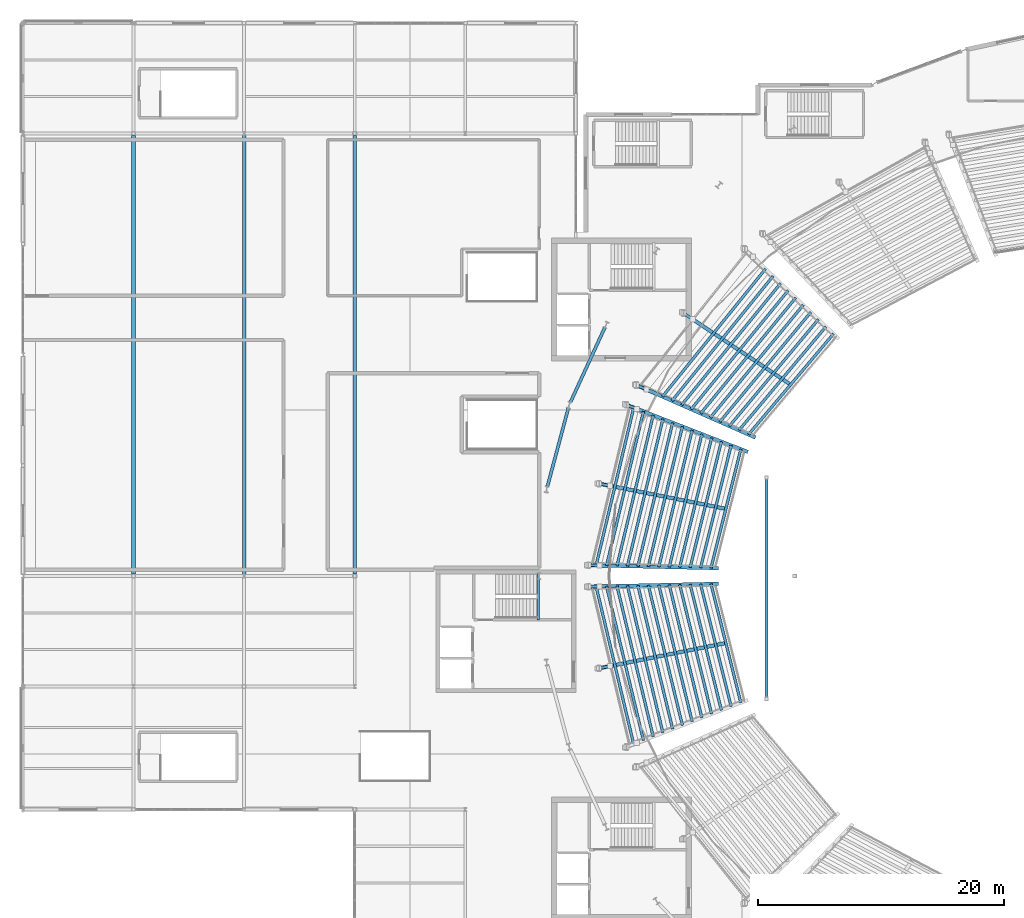
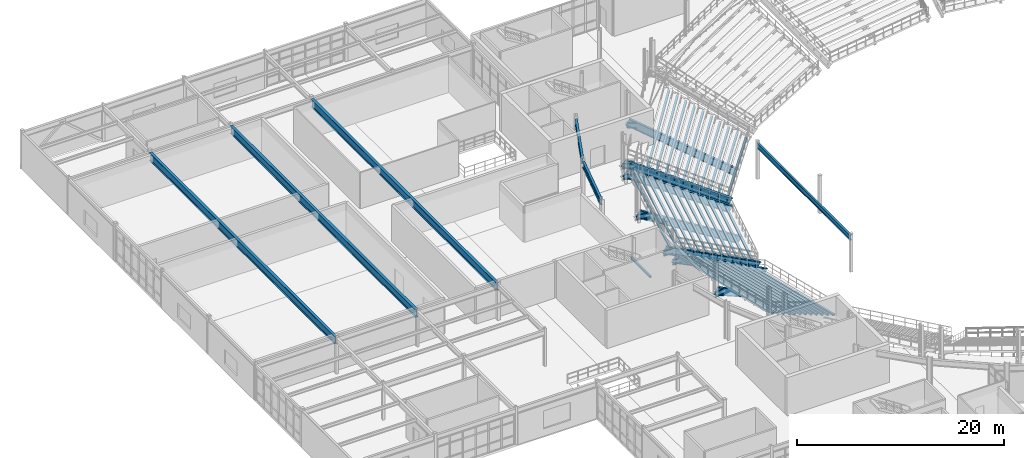
# One storey, part 30 of 81: 55 beams.
"""IFC4 building model written with IfcOpenShell, lengths in metres."""

from ifc_helpers import new_model, si_unit, direction, frame, origin, origin_2d, place, context, subcontext, project, spatial, rectangle, hollow_rectangle, i_section, extrude, material, material_profile, profile_set, type_object, element, save


model = new_model("IFC4")

# Units and contexts
model_context = context("Model", 3, precision=1e-05, world=origin(), true_north=direction((0.0, 1.0)))
body_context = subcontext(model_context, "Body", "Model", "MODEL_VIEW")
ifc_project = project(units=[si_unit("LENGTHUNIT", "METRE"), si_unit("AREAUNIT", "SQUARE_METRE"), si_unit("VOLUMEUNIT", "CUBIC_METRE"), si_unit("PLANEANGLEUNIT", "RADIAN"), si_unit("MASSUNIT", "GRAM", prefix="KILO")], contexts=[model_context])

# Site, building, storey
site_placement = place(None, origin())
site = spatial("IfcSite", under=ifc_project, at=site_placement, CompositionType="ELEMENT")
building_placement = place(site_placement, origin())
building = spatial("IfcBuilding", under=site, at=building_placement, Name="Glasvene Arena", CompositionType="ELEMENT")
storey_placement = place(building_placement, frame((0.0, 0.0, 15.0)))
storey = spatial("IfcBuildingStorey", under=building, at=storey_placement, Name="L03", CompositionType="ELEMENT", Elevation=15.0)

# Beams
ifc_material_1 = material(Name="Steel S355J2", Category="steel")
ifc_material_profile_1 = material_profile(ifc_material_1, i_section(OverallWidth=0.228271484375, OverallDepth=0.607666015625, WebThickness=0.010986328125, FlangeThickness=0.017333984375, FilletRadius=0.0126953125, at=origin_2d()), Name="UKB 610x229x113")
ifc_profile_set_1 = profile_set([ifc_material_profile_1], Name="Steel S355J2")
beam_type_1 = type_object("IfcBeamType", Name="BM-GIRD-610", PredefinedType="BEAM", material=ifc_profile_set_1)
beam_1_placement = place(storey_placement, frame((60.5, 63.0, 3.945068359375), z_axis=(0.0, 1.0, 0.0), x_axis=(-1.0, 0.0, 0.0)))
element("IfcBeam", 1, at=beam_1_placement, inside=storey, type_object=beam_type_1, Name="Sector 3-3 soffit girder L03", PredefinedType="BEAM", context=body_context, shape_type="SweptSolid", body=[
    extrude(i_section(OverallWidth=0.228271484375, OverallDepth=0.607666015625, WebThickness=0.010986328125, FlangeThickness=0.017333984375, FilletRadius=0.0126953125, at=origin_2d()), origin(), (0.0, 0.0, 1.0), 18.0),
])
beam_2_placement = place(storey_placement, frame((54.500732421875, 93.889404296875, 0.544921875), z_axis=(-0.831386976724, 0.555693885997, 0.0), x_axis=(-0.555693885997, -0.831386976724, 0.0)))
element("IfcBeam", 2, at=beam_2_placement, inside=storey, type_object=beam_type_1, Name="Upper raker rear seat haunch girder RKS-07-2", PredefinedType="BEAM", context=body_context, shape_type="SweptSolid", body=[
    extrude(i_section(OverallWidth=0.228271484375, OverallDepth=0.607666015625, WebThickness=0.010986328125, FlangeThickness=0.017333984375, FilletRadius=0.0126953125, at=origin_2d()), origin(), (0.0, 0.0, 1.0), 1.020263671875),
])
for number, where, z_axis, x_axis, name in (
    (3, (50.7353515625, 88.17333984375, 0.60498046875), (-0.914972384144, 0.403516463423, 0.0), (-0.403516463423, -0.914972384144, 0.0), "Upper raker rear seat haunch girder RKS-07-3"),
    (4, (49.9521484375, 86.596923828125, 0.60498046875), (-0.932305314337, 0.361672228488, 0.0), (-0.361672228488, -0.932305314337, 0.0), "Upper raker rear seat haunch girder RKS-08-1"),
    (5, (47.7666015625, 80.33544921875, 0.544921875), (-0.980791823058, 0.195057426987, 0.0), (-0.195057426987, -0.980791823058, 0.0), "Upper raker rear seat haunch girder RKS-08-2"),
    (6, (46.91162109375, 73.85302734375, 0.60498046875), (-0.999741464718, 0.02273771586, 0.0), (-0.02273771586, -0.999741464718, 0.0), "Upper raker rear seat haunch girder RKS-08-3"),
    (7, (46.91162109375, 72.14697265625, 0.60498046875), (-0.999741464718, -0.02273771586, 0.0), (0.02273771586, -0.999741464718, 0.0), "Upper raker rear seat haunch girder RKS-09-1"),
    (8, (47.7666015625, 65.66455078125, 0.544921875), (-0.980791823058, -0.195057426987, 0.0), (0.195057426987, -0.980791823058, 0.0), "Upper raker rear seat haunch girder RKS-09-2"),
):
    element("IfcBeam", number, at=place(storey_placement, frame(where, z_axis=z_axis, x_axis=x_axis)), inside=storey, type_object=beam_type_1, Name=name, PredefinedType="BEAM", context=body_context, shape_type="SweptSolid", body=[
        extrude(i_section(OverallWidth=0.228271484375, OverallDepth=0.607666015625, WebThickness=0.010986328125, FlangeThickness=0.017333984375, FilletRadius=0.0126953125, at=origin_2d()), origin(), (0.0, 0.0, 1.0), 1.02001953125),
    ])
ifc_material_profile_2 = material_profile(ifc_material_1, i_section(OverallWidth=0.253662109375, OverallDepth=0.68359375, WebThickness=0.012451171875, FlangeThickness=0.01904296875, FilletRadius=0.01513671875, at=origin_2d()), Name="UKB 686x254x140")
ifc_profile_set_2 = profile_set([ifc_material_profile_2], Name="Steel S355J2")
beam_type_2 = type_object("IfcBeamType", Name="BM-GIRD-686", PredefinedType="BEAM", material=ifc_profile_set_2)
beam_3_placement = place(storey_placement, frame((47.349365234375, 93.211669921875, 3.908203125), z_axis=(-0.418069169042, -0.908415196866, 0.0), x_axis=(0.908415196866, -0.418069169042, 0.0)))
element("IfcBeam", 9, at=beam_3_placement, inside=storey, type_object=beam_type_2, Name="Bowl ring chord beam L03-18", PredefinedType="BEAM", context=body_context, shape_type="SweptSolid", body=[
    extrude(i_section(OverallWidth=0.253662109375, OverallDepth=0.68359375, WebThickness=0.012451171875, FlangeThickness=0.01904296875, FilletRadius=0.01513671875, at=origin_2d()), origin(), (0.0, 0.0, 1.0), 6.70166015625),
])
beam_4_placement = place(storey_placement, frame((44.38525390625, 86.673828125, 3.908203125), z_axis=(-0.257729153992, -0.966217202901, 0.0), x_axis=(0.966217202901, -0.257729153992, 0.0)))
element("IfcBeam", 10, at=beam_4_placement, inside=storey, type_object=beam_type_2, Name="Bowl ring chord beam L03-19", PredefinedType="BEAM", context=body_context, shape_type="SweptSolid", body=[
    extrude(i_section(OverallWidth=0.253662109375, OverallDepth=0.68359375, WebThickness=0.012451171875, FlangeThickness=0.01904296875, FilletRadius=0.01513671875, at=origin_2d()), origin(), (0.0, 0.0, 1.0), 6.626220703125),
])
ifc_material_profile_3 = material_profile(ifc_material_1, i_section(OverallWidth=0.30419921875, OverallDepth=0.910400390625, WebThickness=0.015869140625, FlangeThickness=0.02392578125, FilletRadius=0.01904296875, at=origin_2d()), Name="UKB 914x305x224")
ifc_profile_set_3 = profile_set([ifc_material_profile_3], Name="Steel S355J2")
beam_type_3 = type_object("IfcBeamType", Name="BM-GIRD-914", PredefinedType="BEAM", material=ifc_profile_set_3)
beam_5_placement = place(storey_placement, frame((9.0, 73.14501953125, 3.794921875), z_axis=(0.0, 1.0, 0.0), x_axis=(-1.0, 0.0, 0.0)))
element("IfcBeam", 11, at=beam_5_placement, inside=storey, type_object=beam_type_3, Name="Primary Y girder L03-0971", PredefinedType="BEAM", context=body_context, shape_type="SweptSolid", body=[
    extrude(i_section(OverallWidth=0.30419921875, OverallDepth=0.910400390625, WebThickness=0.015869140625, FlangeThickness=0.02392578125, FilletRadius=0.01904296875, at=origin_2d()), origin(), (0.0, 0.0, 1.0), 35.7099609375),
])
beam_6_placement = place(storey_placement, frame((18.0, 73.125244140625, 3.794921875), z_axis=(0.0, 1.0, 0.0), x_axis=(-1.0, 0.0, 0.0)))
element("IfcBeam", 12, at=beam_6_placement, inside=storey, type_object=beam_type_3, Name="Primary Y girder L03-0975", PredefinedType="BEAM", context=body_context, shape_type="SweptSolid", body=[
    extrude(i_section(OverallWidth=0.30419921875, OverallDepth=0.910400390625, WebThickness=0.015869140625, FlangeThickness=0.02392578125, FilletRadius=0.01904296875, at=origin_2d()), origin(), (0.0, 0.0, 1.0), 35.74951171875),
])
beam_7_placement = place(storey_placement, frame((27.0, 73.14501953125, 3.794921875), z_axis=(0.0, 1.0, 0.0), x_axis=(-1.0, 0.0, 0.0)))
element("IfcBeam", 13, at=beam_7_placement, inside=storey, type_object=beam_type_3, Name="Primary Y girder L03-0980", PredefinedType="BEAM", context=body_context, shape_type="SweptSolid", body=[
    extrude(i_section(OverallWidth=0.30419921875, OverallDepth=0.910400390625, WebThickness=0.015869140625, FlangeThickness=0.02392578125, FilletRadius=0.01904296875, at=origin_2d()), origin(), (0.0, 0.0, 1.0), 35.7099609375),
])
ifc_material_profile_4 = material_profile(ifc_material_1, hollow_rectangle(XDim=0.199951171875, YDim=0.199951171875, WallThickness=0.010009765625, at=origin_2d()), Name="SHS 200x200x10.0")
ifc_profile_set_4 = profile_set([ifc_material_profile_4], Name="Steel S355J2")
beam_type_4 = type_object("IfcBeamType", Name="BM-LINTEL-200", PredefinedType="LINTEL", material=ifc_profile_set_4)
beam_8_placement = place(storey_placement, frame((41.929931640625, 69.429931640625, 1.929931640625), z_axis=(0.0, 1.0, 0.0), x_axis=(-1.0, 0.0, 0.0)))
element("IfcBeam", 14, at=beam_8_placement, inside=storey, type_object=beam_type_4, Name="Stair half-landing support beam ST-07-L03", PredefinedType="LINTEL", context=body_context, shape_type="SweptSolid", body=[
    extrude(hollow_rectangle(XDim=0.199951171875, YDim=0.199951171875, WallThickness=0.010009765625, at=origin_2d()), origin(), (0.0, 0.0, 1.0), 3.7900390625),
])
ifc_material_profile_5 = material_profile(ifc_material_1, i_section(OverallWidth=0.29248046875, OverallDepth=0.8408203125, WebThickness=0.0146484375, FlangeThickness=0.021728515625, FilletRadius=0.017822265625, at=origin_2d()), Name="UKB 838x292x194")
ifc_profile_set_5 = profile_set([ifc_material_profile_5], Name="Steel S355J2")
beam_type_5 = type_object("IfcBeamType", Name="Upper bowl raker", PredefinedType="USERDEFINED", material=ifc_profile_set_5)
beam_9_placement = place(storey_placement, frame((62.399658203125, 88.611572265625, -4.47998046875), z_axis=(-0.737057012889, 0.492481189955, 0.462827437919), x_axis=(-0.555566675899, -0.831471989084, 0.0)))
element("IfcBeam", 15, at=beam_9_placement, inside=storey, type_object=beam_type_5, Name="Upper bowl cantilevered raker beam RKU-07-2", ObjectType="RAKER BEAM", PredefinedType="USERDEFINED", context=body_context, shape_type="SweptSolid", body=[
    extrude(i_section(OverallWidth=0.29248046875, OverallDepth=0.8408203125, WebThickness=0.0146484375, FlangeThickness=0.021728515625, FilletRadius=0.017822265625, at=origin_2d()), origin(), (0.0, 0.0, 1.0), 11.732177734375),
])
beam_10_placement = place(storey_placement, frame((59.427490234375, 84.339599609375, -4.320068359375), z_axis=(-0.814248067092, 0.359137379961, 0.456092564674), x_axis=(-0.403555824655, -0.914955024243, 0.0)))
element("IfcBeam", 16, at=beam_10_placement, inside=storey, type_object=beam_type_5, Name="Upper bowl cantilevered raker beam RKU-07-3", ObjectType="RAKER BEAM", PredefinedType="USERDEFINED", context=body_context, shape_type="SweptSolid", body=[
    extrude(i_section(OverallWidth=0.29248046875, OverallDepth=0.8408203125, WebThickness=0.0146484375, FlangeThickness=0.021728515625, FilletRadius=0.017822265625, at=origin_2d()), origin(), (0.0, 0.0, 1.0), 11.686279296875),
])
beam_11_placement = place(storey_placement, frame((58.809326171875, 83.16162109375, -4.320068359375), z_axis=(-0.829704586846, 0.321824936055, 0.456091009669), x_axis=(-0.361628219192, -0.932322385811, 0.0)))
element("IfcBeam", 17, at=beam_11_placement, inside=storey, type_object=beam_type_5, Name="Upper bowl cantilevered raker beam RKU-08-1", ObjectType="RAKER BEAM", PredefinedType="USERDEFINED", context=body_context, shape_type="SweptSolid", body=[
    extrude(i_section(OverallWidth=0.29248046875, OverallDepth=0.8408203125, WebThickness=0.0146484375, FlangeThickness=0.021728515625, FilletRadius=0.017822265625, at=origin_2d()), origin(), (0.0, 0.0, 1.0), 11.6865234375),
])
beam_12_placement = place(storey_placement, frame((57.083984375, 78.48193359375, -4.47998046875), z_axis=(-0.86941665754, 0.172946908588, 0.462821825762), x_axis=(-0.19510028701, -0.98078329819, 0.0)))
element("IfcBeam", 18, at=beam_12_placement, inside=storey, type_object=beam_type_5, Name="Upper bowl cantilevered raker beam RKU-08-2", ObjectType="RAKER BEAM", PredefinedType="USERDEFINED", context=body_context, shape_type="SweptSolid", body=[
    extrude(i_section(OverallWidth=0.29248046875, OverallDepth=0.8408203125, WebThickness=0.0146484375, FlangeThickness=0.021728515625, FilletRadius=0.017822265625, at=origin_2d()), origin(), (0.0, 0.0, 1.0), 11.732177734375),
])
for number, where, z_axis, x_axis, name in (
    (19, (56.4091796875, 73.637451171875, -4.320068359375), (-0.889703726308, 0.020201547463, 0.456091193593), (-0.022700075691, -0.999742320082, 0.0), "Upper bowl cantilevered raker beam RKU-08-3"),
    (20, (56.4091796875, 72.362548828125, -4.320068359375), (-0.889703726308, -0.020201547463, 0.456091193593), (0.022700075691, -0.999742320082, 0.0), "Upper bowl cantilevered raker beam RKU-09-1"),
):
    element("IfcBeam", number, at=place(storey_placement, frame(where, z_axis=z_axis, x_axis=x_axis)), inside=storey, type_object=beam_type_5, Name=name, ObjectType="RAKER BEAM", PredefinedType="USERDEFINED", context=body_context, shape_type="SweptSolid", body=[
        extrude(i_section(OverallWidth=0.29248046875, OverallDepth=0.8408203125, WebThickness=0.0146484375, FlangeThickness=0.021728515625, FilletRadius=0.017822265625, at=origin_2d()), origin(), (0.0, 0.0, 1.0), 11.6865234375),
    ])
beam_13_placement = place(storey_placement, frame((57.083984375, 67.51806640625, -4.47998046875), z_axis=(-0.86941665754, -0.172946908588, 0.462821825762), x_axis=(0.19510028701, -0.98078329819, 0.0)))
element("IfcBeam", 21, at=beam_13_placement, inside=storey, type_object=beam_type_5, Name="Upper bowl cantilevered raker beam RKU-09-2", ObjectType="RAKER BEAM", PredefinedType="USERDEFINED", context=body_context, shape_type="SweptSolid", body=[
    extrude(i_section(OverallWidth=0.29248046875, OverallDepth=0.8408203125, WebThickness=0.0146484375, FlangeThickness=0.021728515625, FilletRadius=0.017822265625, at=origin_2d()), origin(), (0.0, 0.0, 1.0), 11.732177734375),
])
ifc_material_2 = material(Name="Precast concrete C50/60", Category="concrete")
ifc_material_profile_6 = material_profile(ifc_material_2, rectangle(XDim=0.219970703125, YDim=0.219970703125, at=origin_2d()), Name="RC 220x220")
ifc_profile_set_6 = profile_set([ifc_material_profile_6], Name="Precast concrete C50/60")
beam_type_6 = type_object("IfcBeamType", Name="BM-TIER-BEARER", PredefinedType="BEAM", material=ifc_profile_set_6)
beam_14_placement = place(storey_placement, frame((65.958740234375, 92.7041015625, -4.215087890625), z_axis=(-0.644922058275, -0.76424834887, 0.0), x_axis=(0.76424834887, -0.644922058275, 0.0)))
element("IfcBeam", 22, at=beam_14_placement, inside=storey, type_object=beam_type_6, Name="Upper tier precast row bearer 07-R01", PredefinedType="BEAM", context=body_context, shape_type="SweptSolid", body=[
    extrude(rectangle(XDim=0.219970703125, YDim=0.219970703125, at=origin_2d()), origin(), (0.0, 0.0, 1.0), 10.72314453125),
])
beam_15_placement = place(storey_placement, frame((65.34423828125, 93.291259765625, -3.735107421875), z_axis=(-0.642655492956, -0.766155282807, 0.0), x_axis=(0.766155282807, -0.642655492956, 0.0)))
element("IfcBeam", 23, at=beam_15_placement, inside=storey, type_object=beam_type_6, Name="Upper tier precast row bearer 07-R02", PredefinedType="BEAM", context=body_context, shape_type="SweptSolid", body=[
    extrude(rectangle(XDim=0.219970703125, YDim=0.219970703125, at=origin_2d()), origin(), (0.0, 0.0, 1.0), 11.014892578125),
])
beam_16_placement = place(storey_placement, frame((64.729736328125, 93.87841796875, -3.2548828125), z_axis=(-0.640488055668, -0.767968131205, 0.0), x_axis=(0.767968131205, -0.640488055668, 0.0)))
element("IfcBeam", 24, at=beam_16_placement, inside=storey, type_object=beam_type_6, Name="Upper tier precast row bearer 07-R03", PredefinedType="BEAM", context=body_context, shape_type="SweptSolid", body=[
    extrude(rectangle(XDim=0.219970703125, YDim=0.219970703125, at=origin_2d()), origin(), (0.0, 0.0, 1.0), 11.306884765625),
])
beam_17_placement = place(storey_placement, frame((64.115234375, 94.4658203125, -2.77490234375), z_axis=(-0.63842711998, -0.769682280213, 0.0), x_axis=(0.769682280213, -0.63842711998, 0.0)))
element("IfcBeam", 25, at=beam_17_placement, inside=storey, type_object=beam_type_6, Name="Upper tier precast row bearer 07-R04", PredefinedType="BEAM", context=body_context, shape_type="SweptSolid", body=[
    extrude(rectangle(XDim=0.219970703125, YDim=0.219970703125, at=origin_2d()), origin(), (0.0, 0.0, 1.0), 11.599365234375),
])
beam_18_placement = place(storey_placement, frame((63.50048828125, 95.052978515625, -2.294921875), z_axis=(-0.636448921303, -0.771318851431, 0.0), x_axis=(0.771318851431, -0.636448921303, 0.0)))
element("IfcBeam", 26, at=beam_18_placement, inside=storey, type_object=beam_type_6, Name="Upper tier precast row bearer 07-R05", PredefinedType="BEAM", context=body_context, shape_type="SweptSolid", body=[
    extrude(rectangle(XDim=0.219970703125, YDim=0.219970703125, at=origin_2d()), origin(), (0.0, 0.0, 1.0), 11.89111328125),
])
beam_19_placement = place(storey_placement, frame((62.885986328125, 95.64013671875, -1.81494140625), z_axis=(-0.634585572165, -0.772852606646, 0.0), x_axis=(0.772852606646, -0.634585572165, 0.0)))
element("IfcBeam", 27, at=beam_19_placement, inside=storey, type_object=beam_type_6, Name="Upper tier precast row bearer 07-R06", PredefinedType="BEAM", context=body_context, shape_type="SweptSolid", body=[
    extrude(rectangle(XDim=0.219970703125, YDim=0.219970703125, at=origin_2d()), origin(), (0.0, 0.0, 1.0), 12.183349609375),
])
beam_20_placement = place(storey_placement, frame((62.271484375, 96.2275390625, -1.3349609375), z_axis=(-0.632784784283, -0.774327719238, 0.0), x_axis=(0.774327719238, -0.632784784283, 0.0)))
element("IfcBeam", 28, at=beam_20_placement, inside=storey, type_object=beam_type_6, Name="Upper tier precast row bearer 07-R07", PredefinedType="BEAM", context=body_context, shape_type="SweptSolid", body=[
    extrude(rectangle(XDim=0.219970703125, YDim=0.219970703125, at=origin_2d()), origin(), (0.0, 0.0, 1.0), 12.475830078125),
])
beam_21_placement = place(storey_placement, frame((61.656982421875, 96.814697265625, -0.85498046875), z_axis=(-0.631084152246, -0.775714375775, 0.0), x_axis=(0.775714375775, -0.631084152246, 0.0)))
element("IfcBeam", 29, at=beam_21_placement, inside=storey, type_object=beam_type_6, Name="Upper tier precast row bearer 07-R08", PredefinedType="BEAM", context=body_context, shape_type="SweptSolid", body=[
    extrude(rectangle(XDim=0.219970703125, YDim=0.219970703125, at=origin_2d()), origin(), (0.0, 0.0, 1.0), 12.768310546875),
])
beam_22_placement = place(storey_placement, frame((61.04248046875, 97.402099609375, -0.375), z_axis=(-0.62944770131, -0.777042850373, 0.0), x_axis=(0.777042850373, -0.62944770131, 0.0)))
element("IfcBeam", 30, at=beam_22_placement, inside=storey, type_object=beam_type_6, Name="Upper tier precast row bearer 07-R09", PredefinedType="BEAM", context=body_context, shape_type="SweptSolid", body=[
    extrude(rectangle(XDim=0.219970703125, YDim=0.219970703125, at=origin_2d()), origin(), (0.0, 0.0, 1.0), 13.06103515625),
])
beam_23_placement = place(storey_placement, frame((60.427978515625, 97.9892578125, 0.10498046875), z_axis=(-0.627878234413, -0.778311584618, 0.0), x_axis=(0.778311584618, -0.627878234413, 0.0)))
element("IfcBeam", 31, at=beam_23_placement, inside=storey, type_object=beam_type_6, Name="Upper tier precast row bearer 07-R10", PredefinedType="BEAM", context=body_context, shape_type="SweptSolid", body=[
    extrude(rectangle(XDim=0.219970703125, YDim=0.219970703125, at=origin_2d()), origin(), (0.0, 0.0, 1.0), 13.353271484375),
])
beam_24_placement = place(storey_placement, frame((58.417724609375, 83.3134765625, -4.215087890625), z_axis=(-0.243653597062, -0.969862322517, 0.0), x_axis=(0.969862322517, -0.243653597062, 0.0)))
element("IfcBeam", 32, at=beam_24_placement, inside=storey, type_object=beam_type_6, Name="Upper tier precast row bearer 08-R01", PredefinedType="BEAM", context=body_context, shape_type="SweptSolid", body=[
    extrude(rectangle(XDim=0.219970703125, YDim=0.219970703125, at=origin_2d()), origin(), (0.0, 0.0, 1.0), 9.966796875),
])
beam_25_placement = place(storey_placement, frame((57.625244140625, 83.620849609375, -3.735107421875), z_axis=(-0.242278073389, -0.970206851736, 0.0), x_axis=(0.970206851736, -0.242278073389, 0.0)))
element("IfcBeam", 33, at=beam_25_placement, inside=storey, type_object=beam_type_6, Name="Upper tier precast row bearer 08-R02", PredefinedType="BEAM", context=body_context, shape_type="SweptSolid", body=[
    extrude(rectangle(XDim=0.219970703125, YDim=0.219970703125, at=origin_2d()), origin(), (0.0, 0.0, 1.0), 10.26025390625),
])
beam_26_placement = place(storey_placement, frame((56.832763671875, 83.92822265625, -3.2548828125), z_axis=(-0.240956794223, -0.970535843397, 0.0), x_axis=(0.970535843397, -0.240956794223, 0.0)))
element("IfcBeam", 34, at=beam_26_placement, inside=storey, type_object=beam_type_6, Name="Upper tier precast row bearer 08-R03", PredefinedType="BEAM", context=body_context, shape_type="SweptSolid", body=[
    extrude(rectangle(XDim=0.219970703125, YDim=0.219970703125, at=origin_2d()), origin(), (0.0, 0.0, 1.0), 10.5537109375),
])
beam_27_placement = place(storey_placement, frame((56.040283203125, 84.235595703125, -2.77490234375), z_axis=(-0.239727787555, -0.970840145376, 0.0), x_axis=(0.970840145376, -0.239727787555, 0.0)))
element("IfcBeam", 35, at=beam_27_placement, inside=storey, type_object=beam_type_6, Name="Upper tier precast row bearer 08-R04", PredefinedType="BEAM", context=body_context, shape_type="SweptSolid", body=[
    extrude(rectangle(XDim=0.219970703125, YDim=0.219970703125, at=origin_2d()), origin(), (0.0, 0.0, 1.0), 10.84716796875),
])
beam_28_placement = place(storey_placement, frame((55.247802734375, 84.543212890625, -2.294921875), z_axis=(-0.238558093097, -0.971128228515, 0.0), x_axis=(0.971128228515, -0.238558093097, 0.0)))
element("IfcBeam", 36, at=beam_28_placement, inside=storey, type_object=beam_type_6, Name="Upper tier precast row bearer 08-R05", PredefinedType="BEAM", context=body_context, shape_type="SweptSolid", body=[
    extrude(rectangle(XDim=0.219970703125, YDim=0.219970703125, at=origin_2d()), origin(), (0.0, 0.0, 1.0), 11.140625),
])
beam_29_placement = place(storey_placement, frame((54.455322265625, 84.850341796875, -1.81494140625), z_axis=(-0.237437867214, -0.971402727612, 0.0), x_axis=(0.971402727612, -0.237437867214, 0.0)))
element("IfcBeam", 37, at=beam_29_placement, inside=storey, type_object=beam_type_6, Name="Upper tier precast row bearer 08-R06", PredefinedType="BEAM", context=body_context, shape_type="SweptSolid", body=[
    extrude(rectangle(XDim=0.219970703125, YDim=0.219970703125, at=origin_2d()), origin(), (0.0, 0.0, 1.0), 11.433837890625),
])
beam_30_placement = place(storey_placement, frame((53.662841796875, 85.15771484375, -1.3349609375), z_axis=(-0.236388232992, -0.97165868663, 0.0), x_axis=(0.97165868663, -0.236388232992, 0.0)))
element("IfcBeam", 38, at=beam_30_placement, inside=storey, type_object=beam_type_6, Name="Upper tier precast row bearer 08-R07", PredefinedType="BEAM", context=body_context, shape_type="SweptSolid", body=[
    extrude(rectangle(XDim=0.219970703125, YDim=0.219970703125, at=origin_2d()), origin(), (0.0, 0.0, 1.0), 11.727294921875),
])
beam_31_placement = place(storey_placement, frame((52.870361328125, 85.465087890625, -0.85498046875), z_axis=(-0.235389595247, -0.971901094993, 0.0), x_axis=(0.971901094993, -0.235389595247, 0.0)))
element("IfcBeam", 39, at=beam_31_placement, inside=storey, type_object=beam_type_6, Name="Upper tier precast row bearer 08-R08", PredefinedType="BEAM", context=body_context, shape_type="SweptSolid", body=[
    extrude(rectangle(XDim=0.219970703125, YDim=0.219970703125, at=origin_2d()), origin(), (0.0, 0.0, 1.0), 12.02099609375),
])
beam_32_placement = place(storey_placement, frame((52.077880859375, 85.772705078125, -0.375), z_axis=(-0.234433810383, -0.972132083901, 0.0), x_axis=(0.972132083901, -0.234433810383, 0.0)))
element("IfcBeam", 40, at=beam_32_placement, inside=storey, type_object=beam_type_6, Name="Upper tier precast row bearer 08-R09", PredefinedType="BEAM", context=body_context, shape_type="SweptSolid", body=[
    extrude(rectangle(XDim=0.219970703125, YDim=0.219970703125, at=origin_2d()), origin(), (0.0, 0.0, 1.0), 12.314697265625),
])
beam_33_placement = place(storey_placement, frame((51.285400390625, 86.080078125, 0.10498046875), z_axis=(-0.233508438438, -0.972354775367, 0.0), x_axis=(0.972354775367, -0.233508438438, 0.0)))
element("IfcBeam", 41, at=beam_33_placement, inside=storey, type_object=beam_type_6, Name="Upper tier precast row bearer 08-R10", PredefinedType="BEAM", context=body_context, shape_type="SweptSolid", body=[
    extrude(rectangle(XDim=0.219970703125, YDim=0.219970703125, at=origin_2d()), origin(), (0.0, 0.0, 1.0), 12.608154296875),
])
beam_34_placement = place(storey_placement, frame((50.492919921875, 86.38720703125, 0.5849609375), z_axis=(-0.232647147532, -0.97256120874, 0.0), x_axis=(0.97256120874, -0.232647147532, 0.0)))
element("IfcBeam", 42, at=beam_34_placement, inside=storey, type_object=beam_type_6, Name="Upper tier precast row bearer 08-R11", PredefinedType="BEAM", context=body_context, shape_type="SweptSolid", body=[
    extrude(rectangle(XDim=0.219970703125, YDim=0.219970703125, at=origin_2d()), origin(), (0.0, 0.0, 1.0), 12.9013671875),
])
beam_35_placement = place(storey_placement, frame((49.700439453125, 86.694580078125, 1.06494140625), z_axis=(-0.231819803221, -0.97275874647, 0.0), x_axis=(0.97275874647, -0.231819803221, 0.0)))
element("IfcBeam", 43, at=beam_35_placement, inside=storey, type_object=beam_type_6, Name="Upper tier precast row bearer 08-R12", PredefinedType="BEAM", context=body_context, shape_type="SweptSolid", body=[
    extrude(rectangle(XDim=0.219970703125, YDim=0.219970703125, at=origin_2d()), origin(), (0.0, 0.0, 1.0), 13.19482421875),
])
beam_36_placement = place(storey_placement, frame((55.9892578125, 72.35302734375, -4.215087890625), z_axis=(0.243653597062, -0.969862322517, 0.0), x_axis=(0.969862322517, 0.243653597062, 0.0)))
element("IfcBeam", 44, at=beam_36_placement, inside=storey, type_object=beam_type_6, Name="Upper tier precast row bearer 09-R01", PredefinedType="BEAM", context=body_context, shape_type="SweptSolid", body=[
    extrude(rectangle(XDim=0.219970703125, YDim=0.219970703125, at=origin_2d()), origin(), (0.0, 0.0, 1.0), 9.966796875),
])
beam_37_placement = place(storey_placement, frame((55.139404296875, 72.333740234375, -3.735107421875), z_axis=(0.242278073389, -0.970206851736, 0.0), x_axis=(0.970206851736, 0.242278073389, 0.0)))
element("IfcBeam", 45, at=beam_37_placement, inside=storey, type_object=beam_type_6, Name="Upper tier precast row bearer 09-R02", PredefinedType="BEAM", context=body_context, shape_type="SweptSolid", body=[
    extrude(rectangle(XDim=0.219970703125, YDim=0.219970703125, at=origin_2d()), origin(), (0.0, 0.0, 1.0), 10.26025390625),
])
beam_38_placement = place(storey_placement, frame((54.289794921875, 72.314453125, -3.2548828125), z_axis=(0.240956794223, -0.970535843397, 0.0), x_axis=(0.970535843397, 0.240956794223, 0.0)))
element("IfcBeam", 46, at=beam_38_placement, inside=storey, type_object=beam_type_6, Name="Upper tier precast row bearer 09-R03", PredefinedType="BEAM", context=body_context, shape_type="SweptSolid", body=[
    extrude(rectangle(XDim=0.219970703125, YDim=0.219970703125, at=origin_2d()), origin(), (0.0, 0.0, 1.0), 10.5537109375),
])
beam_39_placement = place(storey_placement, frame((53.43994140625, 72.295166015625, -2.77490234375), z_axis=(0.239727787555, -0.970840145376, 0.0), x_axis=(0.970840145376, 0.239727787555, 0.0)))
element("IfcBeam", 47, at=beam_39_placement, inside=storey, type_object=beam_type_6, Name="Upper tier precast row bearer 09-R04", PredefinedType="BEAM", context=body_context, shape_type="SweptSolid", body=[
    extrude(rectangle(XDim=0.219970703125, YDim=0.219970703125, at=origin_2d()), origin(), (0.0, 0.0, 1.0), 10.84716796875),
])
beam_40_placement = place(storey_placement, frame((52.590087890625, 72.27587890625, -2.294921875), z_axis=(0.238558093097, -0.971128228515, 0.0), x_axis=(0.971128228515, 0.238558093097, 0.0)))
element("IfcBeam", 48, at=beam_40_placement, inside=storey, type_object=beam_type_6, Name="Upper tier precast row bearer 09-R05", PredefinedType="BEAM", context=body_context, shape_type="SweptSolid", body=[
    extrude(rectangle(XDim=0.219970703125, YDim=0.219970703125, at=origin_2d()), origin(), (0.0, 0.0, 1.0), 11.140625),
])
beam_41_placement = place(storey_placement, frame((51.740478515625, 72.256591796875, -1.81494140625), z_axis=(0.237437867214, -0.971402727612, 0.0), x_axis=(0.971402727612, 0.237437867214, 0.0)))
element("IfcBeam", 49, at=beam_41_placement, inside=storey, type_object=beam_type_6, Name="Upper tier precast row bearer 09-R06", PredefinedType="BEAM", context=body_context, shape_type="SweptSolid", body=[
    extrude(rectangle(XDim=0.219970703125, YDim=0.219970703125, at=origin_2d()), origin(), (0.0, 0.0, 1.0), 11.433837890625),
])
beam_42_placement = place(storey_placement, frame((50.890625, 72.2373046875, -1.3349609375), z_axis=(0.236388232992, -0.97165868663, 0.0), x_axis=(0.97165868663, 0.236388232992, 0.0)))
element("IfcBeam", 50, at=beam_42_placement, inside=storey, type_object=beam_type_6, Name="Upper tier precast row bearer 09-R07", PredefinedType="BEAM", context=body_context, shape_type="SweptSolid", body=[
    extrude(rectangle(XDim=0.219970703125, YDim=0.219970703125, at=origin_2d()), origin(), (0.0, 0.0, 1.0), 11.727294921875),
])
beam_43_placement = place(storey_placement, frame((50.040771484375, 72.218017578125, -0.85498046875), z_axis=(0.235389595247, -0.971901094993, 0.0), x_axis=(0.971901094993, 0.235389595247, 0.0)))
element("IfcBeam", 51, at=beam_43_placement, inside=storey, type_object=beam_type_6, Name="Upper tier precast row bearer 09-R08", PredefinedType="BEAM", context=body_context, shape_type="SweptSolid", body=[
    extrude(rectangle(XDim=0.219970703125, YDim=0.219970703125, at=origin_2d()), origin(), (0.0, 0.0, 1.0), 12.02099609375),
])
beam_44_placement = place(storey_placement, frame((49.19091796875, 72.19873046875, -0.375), z_axis=(0.234433810383, -0.972132083901, 0.0), x_axis=(0.972132083901, 0.234433810383, 0.0)))
element("IfcBeam", 52, at=beam_44_placement, inside=storey, type_object=beam_type_6, Name="Upper tier precast row bearer 09-R09", PredefinedType="BEAM", context=body_context, shape_type="SweptSolid", body=[
    extrude(rectangle(XDim=0.219970703125, YDim=0.219970703125, at=origin_2d()), origin(), (0.0, 0.0, 1.0), 12.314697265625),
])
beam_45_placement = place(storey_placement, frame((48.34130859375, 72.179443359375, 0.10498046875), z_axis=(0.233508438438, -0.972354775367, 0.0), x_axis=(0.972354775367, 0.233508438438, 0.0)))
element("IfcBeam", 53, at=beam_45_placement, inside=storey, type_object=beam_type_6, Name="Upper tier precast row bearer 09-R10", PredefinedType="BEAM", context=body_context, shape_type="SweptSolid", body=[
    extrude(rectangle(XDim=0.219970703125, YDim=0.219970703125, at=origin_2d()), origin(), (0.0, 0.0, 1.0), 12.608154296875),
])
beam_46_placement = place(storey_placement, frame((47.491455078125, 72.16015625, 0.5849609375), z_axis=(0.232647147532, -0.97256120874, 0.0), x_axis=(0.97256120874, 0.232647147532, 0.0)))
element("IfcBeam", 54, at=beam_46_placement, inside=storey, type_object=beam_type_6, Name="Upper tier precast row bearer 09-R11", PredefinedType="BEAM", context=body_context, shape_type="SweptSolid", body=[
    extrude(rectangle(XDim=0.219970703125, YDim=0.219970703125, at=origin_2d()), origin(), (0.0, 0.0, 1.0), 12.9013671875),
])
beam_47_placement = place(storey_placement, frame((46.6416015625, 72.140869140625, 1.06494140625), z_axis=(0.231819803221, -0.97275874647, 0.0), x_axis=(0.97275874647, 0.231819803221, 0.0)))
element("IfcBeam", 55, at=beam_47_placement, inside=storey, type_object=beam_type_6, Name="Upper tier precast row bearer 09-R12", PredefinedType="BEAM", context=body_context, shape_type="SweptSolid", body=[
    extrude(rectangle(XDim=0.219970703125, YDim=0.219970703125, at=origin_2d()), origin(), (0.0, 0.0, 1.0), 13.19482421875),
])

save(model, "model.ifc")
